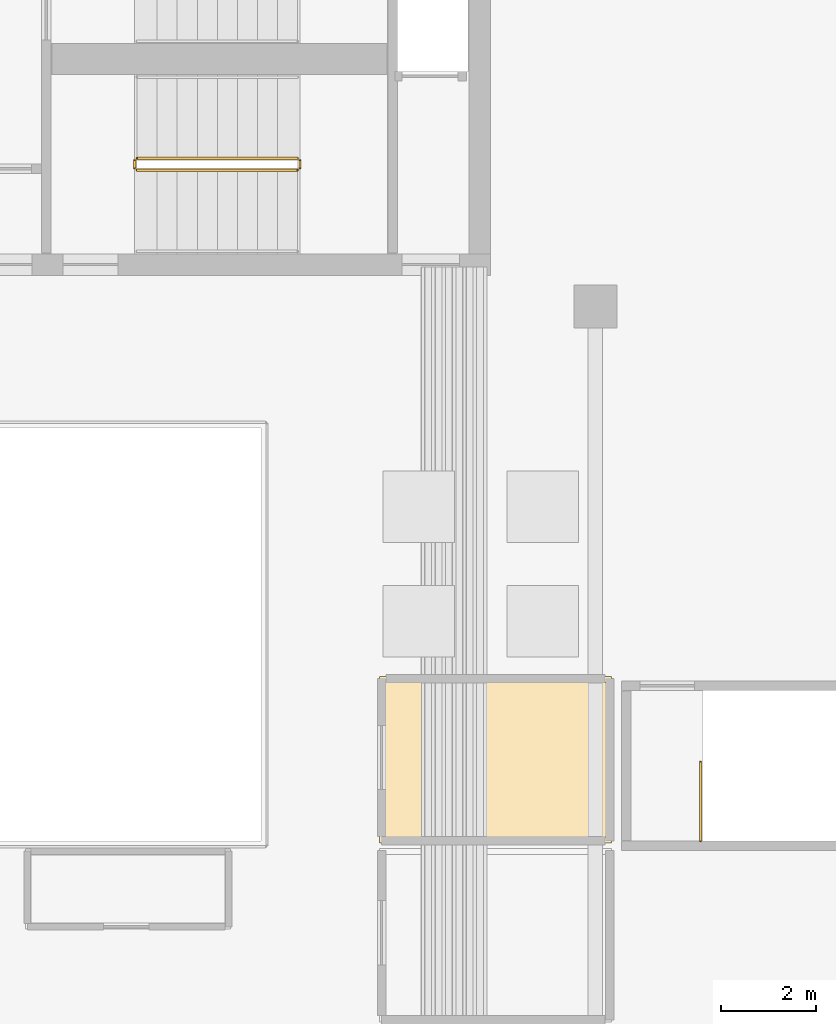
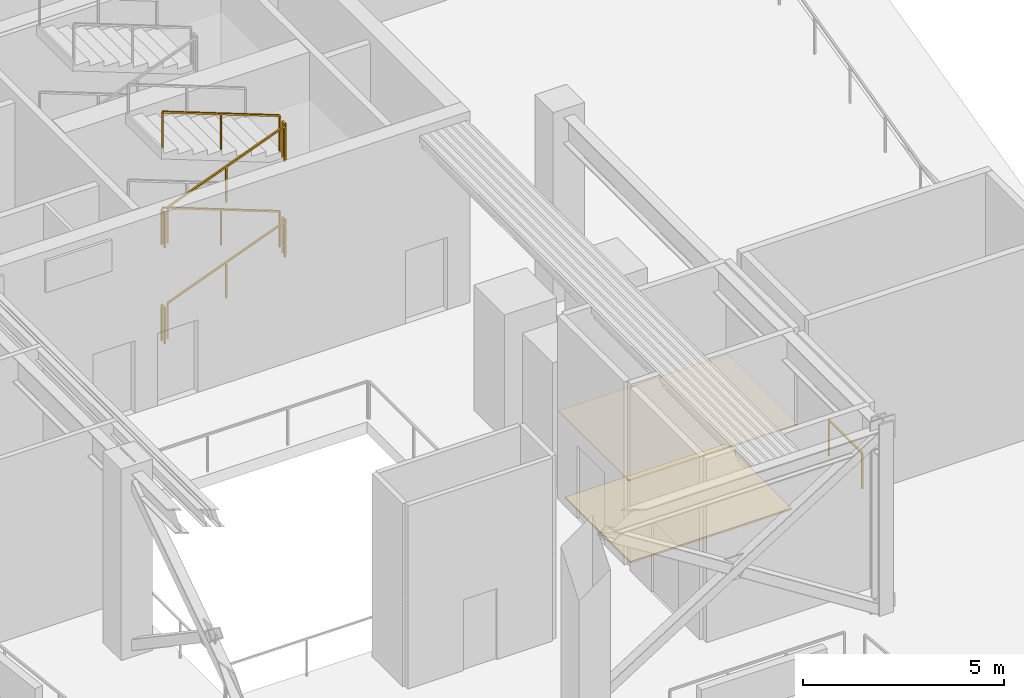
# One storey, part 5 of 8: 9 railings, 2 coverings.
"""IFC4 building model written with IfcOpenShell, lengths in metres."""

from ifc_helpers import new_model, si_unit, direction, frame, origin, origin_2d, place, context, subcontext, project, spatial, polyline, rectangle, outline, extrude, material, layer, layer_set, type_object, element, save


model = new_model("IFC4")

# Units and contexts
model_context = context("Model", 3, precision=1e-05, world=origin(), true_north=direction((0.0, 1.0)))
body_context = subcontext(model_context, "Body", "Model", "MODEL_VIEW")
ifc_project = project(units=[si_unit("LENGTHUNIT", "METRE"), si_unit("AREAUNIT", "SQUARE_METRE"), si_unit("VOLUMEUNIT", "CUBIC_METRE"), si_unit("PLANEANGLEUNIT", "RADIAN"), si_unit("MASSUNIT", "GRAM", prefix="KILO")], contexts=[model_context])

# Site, building, storey
site_placement = place(None, origin())
site = spatial("IfcSite", under=ifc_project, at=site_placement, CompositionType="ELEMENT")
building_placement = place(site_placement, origin())
building = spatial("IfcBuilding", under=site, at=building_placement, Name="Caeloran Harvest Quay", CompositionType="ELEMENT")
storey_placement = place(building_placement, frame((0.0, 0.0, 250.89990234375)))
storey = spatial("IfcBuildingStorey", under=building, at=storey_placement, Name="L60", CompositionType="ELEMENT", Elevation=250.89990234375)

# Coverings
ifc_material_1 = material(Name="Perforated Mineral-Fibre Acoustic Ceiling Tile", Category="ceiling")
ifc_layer_1 = layer(ifc_material_1, 0.0400390625, Name="Perforated Mineral-Fibre Acoustic Ceiling Tile")
ifc_layer_set_1 = layer_set([ifc_layer_1], Name="Perforated Mineral-Fibre Acoustic Ceiling Tile")
covering_type_1 = type_object("IfcCoveringType", Name="COV-CEILING-ACOUSTIC", PredefinedType="CEILING", material=ifc_layer_set_1)
covering_1_placement = place(storey_placement, frame((0.0, 0.0, 2.60009765625)))
element("IfcCovering", 1, at=covering_1_placement, inside=storey, type_object=covering_type_1, Name="L60 Dedicated Outdoor Air Handling and Dehumidification Plant Room Acoustic Ceiling", PredefinedType="CEILING", context=body_context, shape_type="SweptSolid", body=[
    extrude(outline(polyline([(25.840087890625, 23.239990234375), (25.840087890625, 19.760009765625), (20.97998046875, 19.760009765625), (20.97998046875, 23.239990234375), (25.840087890625, 23.239990234375)])), origin(), (0.0, 0.0, 1.0), 0.0400390625),
])
ifc_material_2 = material(Name="Calcium-Sulphate Raised Access Floor and Terrazzo Finish", Category="flooring")
ifc_layer_2 = layer(ifc_material_2, 0.050048828125, Name="Calcium-Sulphate Raised Access Floor and Terrazzo Finish")
ifc_layer_set_2 = layer_set([ifc_layer_2], Name="Calcium-Sulphate Raised Access Floor and Terrazzo Finish")
covering_type_2 = type_object("IfcCoveringType", Name="COV-FLOOR-RAISED", PredefinedType="FLOORING", material=ifc_layer_set_2)
covering_2_placement = place(storey_placement, origin())
element("IfcCovering", 2, at=covering_2_placement, inside=storey, type_object=covering_type_2, Name="L60 Dedicated Outdoor Air Handling and Dehumidification Plant Room Raised Finish Flooring", PredefinedType="FLOORING", context=body_context, shape_type="SweptSolid", body=[
    extrude(outline(polyline([(25.719970703125, 23.1201171875), (25.719970703125, 19.8798828125), (21.10009765625, 19.8798828125), (21.10009765625, 23.1201171875), (25.719970703125, 23.1201171875)])), origin(), (0.0, 0.0, 1.0), 0.050048828125),
])

# Railings
ifc_material_3 = material(Name="Painted Steel Baluster and Top-Rail Stair Guard", Category="steel")
ifc_layer_3 = layer(ifc_material_3, 0.050048828125, Name="Painted Steel Baluster and Top-Rail Stair Guard")
ifc_layer_set_3 = layer_set([ifc_layer_3], Name="Painted Steel Baluster and Top-Rail Stair Guard")
railing_type = type_object("IfcRailingType", Name="STAIR-GUARD-1100", PredefinedType="GUARDRAIL", material=ifc_layer_set_3)
railing_1_placement = place(storey_placement, frame((15.89990234375, 33.85009765625, 0.1611328125)))
element("IfcRailing", 3, at=railing_1_placement, inside=storey, type_object=railing_type, Name="L60 ST-C2 stair guard 1", PredefinedType="GUARDRAIL", context=body_context, shape_type="SweptSolid", body=[
    extrude(rectangle(XDim=0.048095703125, YDim=0.048095703125, at=origin_2d()), frame((0.0, 0.0, 1.076171875), z_axis=(0.933651236505, 0.0, 0.358183428667), x_axis=(0.0, 1.0, 0.0)), (0.0, 0.0, 1.0), 3.598876953125),
    extrude(rectangle(XDim=0.0419921875, YDim=0.0419921875, at=origin_2d()), origin(), (0.0, 0.0, 1.0), 1.052001953125),
    extrude(rectangle(XDim=0.0419921875, YDim=0.0419921875, at=origin_2d()), frame((1.68017578125, 0.0, 0.64453125)), (0.0, 0.0, 1.0), 1.052001953125),
    extrude(rectangle(XDim=0.0419921875, YDim=0.0419921875, at=origin_2d()), frame((3.360107421875, 0.0, 1.2890625)), (0.0, 0.0, 1.0), 1.052001953125),
])
railing_2_placement = place(storey_placement, frame((19.31005859375, 33.89990234375, 1.4501953125)))
element("IfcRailing", 4, at=railing_2_placement, inside=storey, type_object=railing_type, Name="L60 ST-C2 stair guard 2", PredefinedType="GUARDRAIL", context=body_context, shape_type="SweptSolid", body=[
    extrude(rectangle(XDim=0.048095703125, YDim=0.048095703125, at=origin_2d()), frame((0.0, 0.0, 1.076171875), z_axis=(0.0, 1.0, 0.0), x_axis=(-1.0, 0.0, 0.0)), (0.0, 0.0, 1.0), 0.150146484375),
    extrude(rectangle(XDim=0.0419921875, YDim=0.0419921875, at=origin_2d()), origin(), (0.0, 0.0, 1.0), 1.052001953125),
    extrude(rectangle(XDim=0.0419921875, YDim=0.0419921875, at=origin_2d()), frame((0.0, 0.150146484375, 0.0)), (0.0, 0.0, 1.0), 1.052001953125),
])
railing_3_placement = place(storey_placement, frame((19.260009765625, 34.10009765625, 1.611328125)))
element("IfcRailing", 5, at=railing_3_placement, inside=storey, type_object=railing_type, Name="L60 ST-C2 stair guard 3", PredefinedType="GUARDRAIL", context=body_context, shape_type="SweptSolid", body=[
    extrude(rectangle(XDim=0.048095703125, YDim=0.048095703125, at=origin_2d()), frame((0.0, 0.0, 1.076171875), z_axis=(-0.933673921383, 0.0, 0.358124292013), x_axis=(0.0, -1.0, 0.0)), (0.0, 0.0, 1.0), 3.598876953125),
    extrude(rectangle(XDim=0.0419921875, YDim=0.0419921875, at=origin_2d()), origin(), (0.0, 0.0, 1.0), 1.052001953125),
    extrude(rectangle(XDim=0.0419921875, YDim=0.0419921875, at=origin_2d()), frame((-1.68017578125, 0.0, 0.64453125)), (0.0, 0.0, 1.0), 1.052001953125),
    extrude(rectangle(XDim=0.0419921875, YDim=0.0419921875, at=origin_2d()), frame((-3.360107421875, 0.0, 1.288818359375)), (0.0, 0.0, 1.0), 1.052001953125),
])
railing_4_placement = place(storey_placement, frame((15.85009765625, 33.89990234375, 2.900146484375)))
element("IfcRailing", 6, at=railing_4_placement, inside=storey, type_object=railing_type, Name="L60 ST-C2 stair guard 4", PredefinedType="GUARDRAIL", context=body_context, shape_type="SweptSolid", body=[
    extrude(rectangle(XDim=0.048095703125, YDim=0.048095703125, at=origin_2d()), frame((0.0, 0.0, 1.076171875), z_axis=(0.0, 1.0, 0.0), x_axis=(-1.0, 0.0, 0.0)), (0.0, 0.0, 1.0), 0.150146484375),
    extrude(rectangle(XDim=0.0419921875, YDim=0.0419921875, at=origin_2d()), origin(), (0.0, 0.0, 1.0), 1.052001953125),
    extrude(rectangle(XDim=0.0419921875, YDim=0.0419921875, at=origin_2d()), frame((0.0, 0.150146484375, 0.0)), (0.0, 0.0, 1.0), 1.052001953125),
])
railing_5_placement = place(storey_placement, frame((15.89990234375, 33.85009765625, 3.061279296875)))
element("IfcRailing", 7, at=railing_5_placement, inside=storey, type_object=railing_type, Name="L60 ST-C2 stair guard 5", PredefinedType="GUARDRAIL", context=body_context, shape_type="SweptSolid", body=[
    extrude(rectangle(XDim=0.048095703125, YDim=0.048095703125, at=origin_2d()), frame((0.0, 0.0, 1.076171875), z_axis=(0.933673921383, 0.0, 0.358124292013), x_axis=(0.0, 1.0, 0.0)), (0.0, 0.0, 1.0), 3.598876953125),
    extrude(rectangle(XDim=0.0419921875, YDim=0.0419921875, at=origin_2d()), origin(), (0.0, 0.0, 1.0), 1.052001953125),
    extrude(rectangle(XDim=0.0419921875, YDim=0.0419921875, at=origin_2d()), frame((1.68017578125, 0.0, 0.64453125)), (0.0, 0.0, 1.0), 1.052001953125),
    extrude(rectangle(XDim=0.0419921875, YDim=0.0419921875, at=origin_2d()), frame((3.360107421875, 0.0, 1.288818359375)), (0.0, 0.0, 1.0), 1.052001953125),
])
railing_6_placement = place(storey_placement, frame((19.31005859375, 33.89990234375, 4.35009765625)))
element("IfcRailing", 8, at=railing_6_placement, inside=storey, type_object=railing_type, Name="L60 ST-C2 stair guard 6", PredefinedType="GUARDRAIL", context=body_context, shape_type="SweptSolid", body=[
    extrude(rectangle(XDim=0.048095703125, YDim=0.048095703125, at=origin_2d()), frame((0.0, 0.0, 1.076171875), z_axis=(0.0, 1.0, 0.0), x_axis=(-1.0, 0.0, 0.0)), (0.0, 0.0, 1.0), 0.150146484375),
    extrude(rectangle(XDim=0.0419921875, YDim=0.0419921875, at=origin_2d()), origin(), (0.0, 0.0, 1.0), 1.052001953125),
    extrude(rectangle(XDim=0.0419921875, YDim=0.0419921875, at=origin_2d()), frame((0.0, 0.150146484375, 0.0)), (0.0, 0.0, 1.0), 1.052001953125),
])
railing_7_placement = place(storey_placement, frame((19.260009765625, 34.10009765625, 4.51123046875)))
element("IfcRailing", 9, at=railing_7_placement, inside=storey, type_object=railing_type, Name="L60 ST-C2 stair guard 7", PredefinedType="GUARDRAIL", context=body_context, shape_type="SweptSolid", body=[
    extrude(rectangle(XDim=0.048095703125, YDim=0.048095703125, at=origin_2d()), frame((0.0, 0.0, 1.076171875), z_axis=(-0.933673921383, 0.0, 0.358124292013), x_axis=(0.0, -1.0, 0.0)), (0.0, 0.0, 1.0), 3.598876953125),
    extrude(rectangle(XDim=0.0419921875, YDim=0.0419921875, at=origin_2d()), origin(), (0.0, 0.0, 1.0), 1.052001953125),
    extrude(rectangle(XDim=0.0419921875, YDim=0.0419921875, at=origin_2d()), frame((-1.68017578125, 0.0, 0.64453125)), (0.0, 0.0, 1.0), 1.052001953125),
    extrude(rectangle(XDim=0.0419921875, YDim=0.0419921875, at=origin_2d()), frame((-3.360107421875, 0.0, 1.288818359375)), (0.0, 0.0, 1.0), 1.052001953125),
])
railing_8_placement = place(storey_placement, frame((15.85009765625, 33.89990234375, 0.0)))
element("IfcRailing", 10, at=railing_8_placement, inside=storey, type_object=railing_type, Name="L60 ST-C2 stair guard 8", PredefinedType="GUARDRAIL", context=body_context, shape_type="SweptSolid", body=[
    extrude(rectangle(XDim=0.048095703125, YDim=0.048095703125, at=origin_2d()), frame((0.0, 0.0, 1.076171875), z_axis=(0.0, 1.0, 0.0), x_axis=(-1.0, 0.0, 0.0)), (0.0, 0.0, 1.0), 0.150146484375),
    extrude(rectangle(XDim=0.0419921875, YDim=0.0419921875, at=origin_2d()), origin(), (0.0, 0.0, 1.0), 1.052001953125),
    extrude(rectangle(XDim=0.0419921875, YDim=0.0419921875, at=origin_2d()), frame((0.0, 0.150146484375, 0.0)), (0.0, 0.0, 1.0), 1.052001953125),
])
railing_9_placement = place(storey_placement, frame((27.699951171875, 19.800048828125, 0.0)))
element("IfcRailing", 11, at=railing_9_placement, inside=storey, type_object=railing_type, Name="L60 ST-W1 top well guard 1", PredefinedType="GUARDRAIL", context=body_context, shape_type="SweptSolid", body=[
    extrude(rectangle(XDim=0.048095703125, YDim=0.048095703125, at=origin_2d()), frame((0.0, 0.0, 1.076171875), z_axis=(0.0, 1.0, 0.0), x_axis=(-1.0, 0.0, 0.0)), (0.0, 0.0, 1.0), 1.64990234375),
    extrude(rectangle(XDim=0.0419921875, YDim=0.0419921875, at=origin_2d()), origin(), (0.0, 0.0, 1.0), 1.052001953125),
    extrude(rectangle(XDim=0.0419921875, YDim=0.0419921875, at=origin_2d()), frame((0.0, 1.64990234375, 0.0)), (0.0, 0.0, 1.0), 1.052001953125),
])

save(model, "model.ifc")
